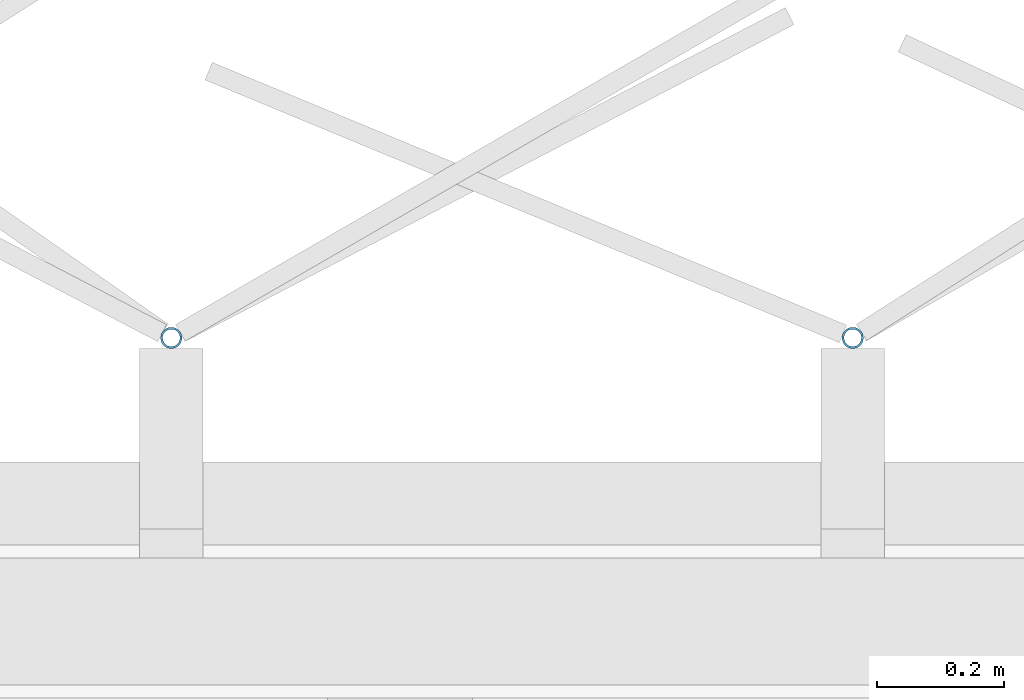
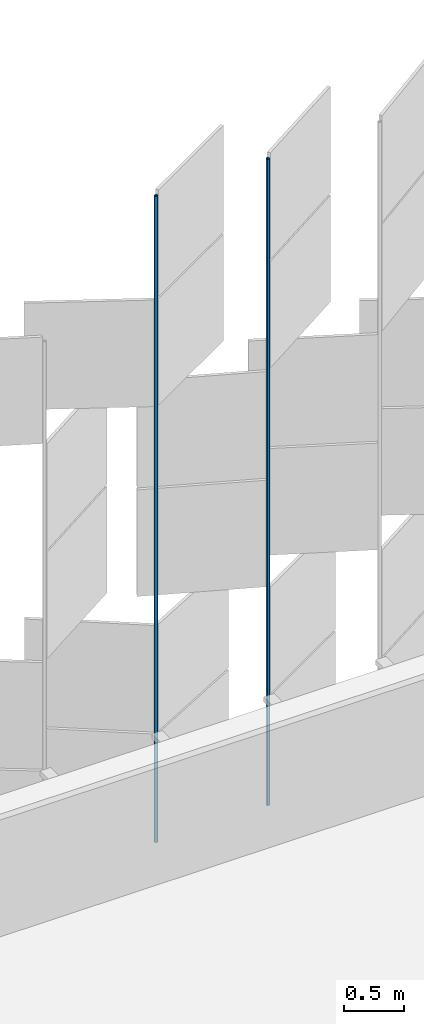
# One storey, part 363 of 483: 2 discrete accessories.
"""IFC4 building model written with IfcOpenShell, lengths in metres."""

from ifc_helpers import new_model, si_unit, direction, frame, origin, origin_2d, place, context, subcontext, project, spatial, hollow_circle, extrude, material, material_profile, profile_set, type_object, element, save


model = new_model("IFC4")

# Units and contexts
model_context = context("Model", 3, precision=1e-05, world=origin(), true_north=direction((0.0, 1.0)))
body_context = subcontext(model_context, "Body", "Model", "MODEL_VIEW")
ifc_project = project(units=[si_unit("LENGTHUNIT", "METRE"), si_unit("AREAUNIT", "SQUARE_METRE"), si_unit("VOLUMEUNIT", "CUBIC_METRE"), si_unit("PLANEANGLEUNIT", "RADIAN"), si_unit("MASSUNIT", "GRAM", prefix="KILO")], contexts=[model_context])

# Site, building, storey
site_placement = place(None, origin())
site = spatial("IfcSite", under=ifc_project, at=site_placement, CompositionType="ELEMENT")
building_placement = place(site_placement, origin())
building = spatial("IfcBuilding", under=site, at=building_placement, Name="Parallax Yard Mobility Hub", CompositionType="ELEMENT")
storey_placement = place(building_placement, frame((0.0, 0.0, 13.199951171875)))
storey = spatial("IfcBuildingStorey", under=building, at=storey_placement, Name="L04", CompositionType="ELEMENT", Elevation=13.199951171875)

# Discrete accessories
ifc_material = material(Name="Steel ASTM A500 Gr C, hot-dip galvanised", Category="steel")
ifc_material_profile = material_profile(ifc_material, hollow_circle(Radius=0.016845703125, WallThickness=0.003173828125, at=origin_2d()), Name="CHS 33.7x3.2")
ifc_profile_set = profile_set([ifc_material_profile], Name="Steel ASTM A500 Gr C, hot-dip galvanised")
discrete_accessory_type = type_object("IfcDiscreteAccessoryType", Name="Hinge post CHS 33.7x3.2", PredefinedType="BRACKET", material=ifc_profile_set)
for number, where, z_axis, x_axis, name in (
    (1, (138.212158203125, 142.800048828125, 0.0), (0.0, 0.0, 1.0), (1.0, 0.0, 0.0), "Hinge post bay 55.5 level L04"),
    (2, (137.140380859375, 142.800048828125, 0.0), (0.0, 0.0, 1.0), (1.0, 0.0, 0.0), "Hinge post bay 55.6 level L04"),
):
    element("IfcDiscreteAccessory", number, at=place(storey_placement, frame(where, z_axis=z_axis, x_axis=x_axis)), inside=storey, type_object=discrete_accessory_type, Name=name, PredefinedType="BRACKET", context=body_context, shape_type="SweptSolid", body=[
        extrude(hollow_circle(Radius=0.016845703125, WallThickness=0.003173828125, at=origin_2d()), origin(), (0.0, 0.0, 1.0), 6.550048828125),
    ])

save(model, "model.ifc")
